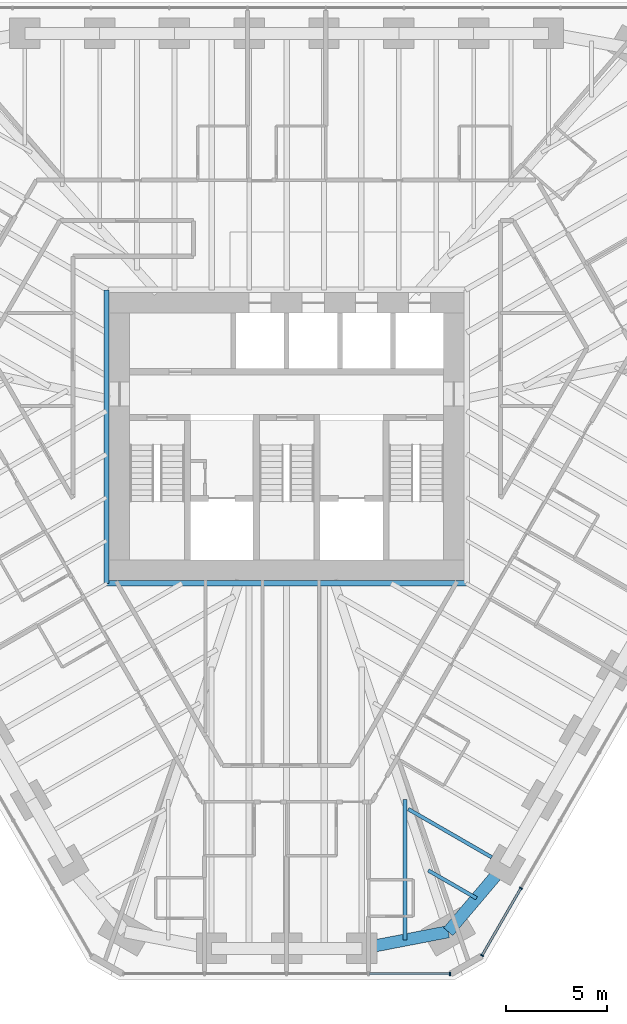
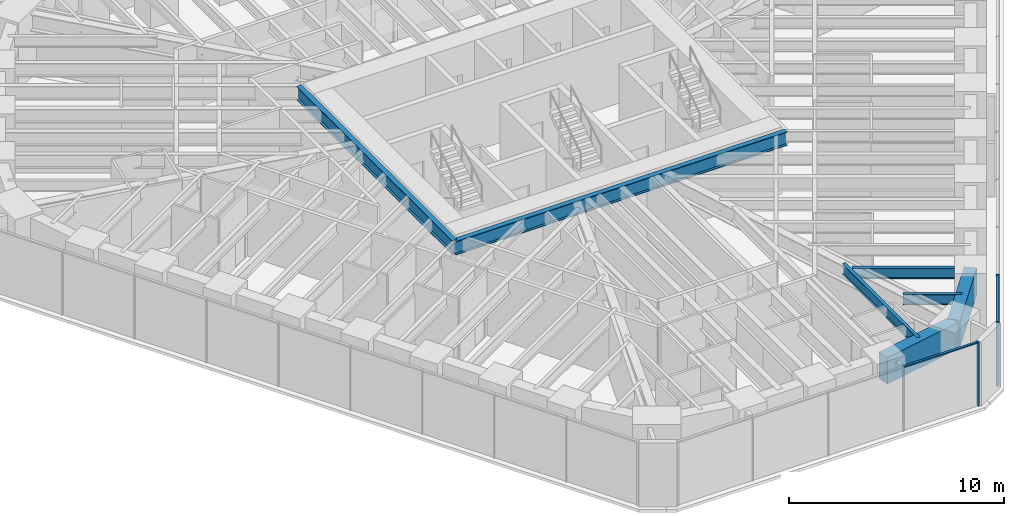
# One storey, part 4 of 16: 7 beams, 5 members, 2 elements without a shape of their own.
"""IFC4 building model written with IfcOpenShell, lengths in metres."""

import ifcopenshell
import ifcopenshell.guid

model = None  # the IFC model being written
_history = None  # IfcOwnerHistory: only IFC2X3 demands one
_inside = {}  # id of a spatial element -> (the spatial element, [elements in it])
_under = {}  # id of a project, library or spatial element -> (it, [spatial elements below it])
_declared = {}  # id of a project -> (the project, [libraries it declares])
_typed = {}  # id of a type object -> (the type object, [elements of that type])
_made_of = {}  # id of a material, layer set ... -> (it, [elements and type objects made of it])


def new_model(schema):
    """Start an empty IFC model of exactly this schema.

    Asked for "IFC4X3", IfcOpenShell would pick the latest addendum, in which some entities
    have other attributes; the version numbers below select the first issue.
    IFC2X3 requires an IfcOwnerHistory on every rooted entity: one is made here for all.
    """
    global model, _history
    if schema == "IFC4X3":
        model = ifcopenshell.file(schema_version=(4, 3, 0, 0))
    else:
        model = ifcopenshell.file(schema=schema)
    _inside.clear()
    _under.clear()
    _declared.clear()
    _typed.clear()
    _made_of.clear()
    _history = None
    if model.schema == "IFC2X3":
        org = make("IfcOrganization", Name="unknown")
        user = make(
            "IfcPersonAndOrganization",
            ThePerson=make("IfcPerson", FamilyName="unknown"),
            TheOrganization=org,
        )
        app = make(
            "IfcApplication",
            ApplicationDeveloper=org,
            Version="unknown",
            ApplicationFullName="unknown",
            ApplicationIdentifier="unknown",
        )
        _history = make(
            "IfcOwnerHistory",
            OwningUser=user,
            OwningApplication=app,
            ChangeAction="ADDED",
            CreationDate=0,
        )
    return model


def make(cls, **values):
    """One entity of the class cls with the attributes given. An attribute that is None is left unset."""
    return model.create_entity(
        cls, **{name: value for name, value in values.items() if value is not None}
    )


def rooted(cls, **values):
    """An entity with a GlobalId (a new one), such as an element, a storey or a relation."""
    return make(cls, GlobalId=ifcopenshell.guid.new(), OwnerHistory=_history, **values)


def si_unit(unit_type, name, prefix=None):
    """IfcSIUnit, for example si_unit("LENGTHUNIT", "METRE", prefix="MILLI")."""
    return make("IfcSIUnit", UnitType=unit_type, Prefix=prefix, Name=name)


def assignment(units):
    """IfcUnitAssignment: the units of a project."""
    return None if units is None else make("IfcUnitAssignment", Units=units)


def point(xyz):
    """IfcCartesianPoint."""
    return None if xyz is None else make("IfcCartesianPoint", Coordinates=xyz)


def direction(xyz):
    """IfcDirection."""
    return None if xyz is None else make("IfcDirection", DirectionRatios=xyz)


def frame(location, z_axis=None, x_axis=None):
    """IfcAxis2Placement3D, a coordinate frame: its origin and axes. An axis left out is left unset."""
    return make(
        "IfcAxis2Placement3D",
        Location=point(location),
        Axis=direction(z_axis),
        RefDirection=direction(x_axis),
    )


def frame_2d(location, x_axis=None):
    """IfcAxis2Placement2D, a coordinate frame in the plane: its origin and x axis."""
    return make(
        "IfcAxis2Placement2D", Location=point(location), RefDirection=direction(x_axis)
    )


def origin():
    """The frame at (0, 0, 0) with its axes left unset."""
    return frame((0.0, 0.0, 0.0))


def origin_2d():
    """The frame at (0, 0) in the plane with its x axis left unset."""
    return frame_2d((0.0, 0.0))


def place(relative_to, where):
    """IfcLocalPlacement: puts the frame where relative to a parent placement (None: the world)."""
    return make(
        "IfcLocalPlacement", PlacementRelTo=relative_to, RelativePlacement=where
    )


def context(
    kind, dimensions, precision=None, world=None, true_north=None, identifier=None
):
    """IfcGeometricRepresentationContext, for example the 3D "Model" context."""
    return make(
        "IfcGeometricRepresentationContext",
        ContextIdentifier=identifier,
        ContextType=kind,
        CoordinateSpaceDimension=dimensions,
        Precision=precision,
        WorldCoordinateSystem=world,
        TrueNorth=true_north,
    )


def subcontext(parent, identifier, kind, view, scale=None):
    """IfcGeometricRepresentationSubContext, for example "Body" below "Model"."""
    return make(
        "IfcGeometricRepresentationSubContext",
        ContextIdentifier=identifier,
        ContextType=kind,
        ParentContext=parent,
        TargetScale=scale,
        TargetView=view,
    )


def project(units=None, contexts=None):
    """IfcProject with its units and contexts."""
    return rooted(
        "IfcProject",
        Name="project",
        RepresentationContexts=contexts,
        UnitsInContext=assignment(units),
    )


def spatial(cls, under=None, at=None, **own):
    """A site, building, storey or space (cls), placed at a placement, below another one or the project."""
    s = rooted(cls, ObjectPlacement=at, **own)
    if under is not None:
        _under.setdefault(under.id(), (under, []))[1].append(s)
    return s


def profile(cls, at=None, kind="AREA", **sizes):
    """A parametric profile (cls). Its sizes go by their IFC names, for example OverallWidth=200.0."""
    return make(cls, ProfileType=kind, Position=at, **sizes)


def rectangle(**sizes):
    """IfcRectangleProfileDef."""
    return profile("IfcRectangleProfileDef", **sizes)


def i_section(**sizes):
    """IfcIShapeProfileDef."""
    return profile("IfcIShapeProfileDef", **sizes)


def extrude(swept, where, along, depth):
    """IfcExtrudedAreaSolid: the profile swept, set in the frame where, extruded along a direction by depth."""
    return make(
        "IfcExtrudedAreaSolid",
        SweptArea=swept,
        Position=where,
        ExtrudedDirection=direction(along),
        Depth=depth,
    )


def shape(context_of_items, identifier, shape_type, items):
    """IfcShapeRepresentation: the items that make up one representation, for example the "Body"."""
    return make(
        "IfcShapeRepresentation",
        ContextOfItems=context_of_items,
        RepresentationIdentifier=identifier,
        RepresentationType=shape_type,
        Items=items,
    )


def material(Name=None, Category=None):
    """IfcMaterial."""
    return make("IfcMaterial", Name=Name, Category=Category)


def material_profile(
    of_material, cross_section, Name=None, Category=None, Priority=None
):
    """IfcMaterialProfile: a cross section and its material."""
    return make(
        "IfcMaterialProfile",
        Name=Name,
        Material=of_material,
        Profile=cross_section,
        Priority=Priority,
        Category=Category,
    )


def profile_set(profiles, Name=None, composite=None):
    """IfcMaterialProfileSet."""
    return make(
        "IfcMaterialProfileSet",
        Name=Name,
        MaterialProfiles=profiles,
        CompositeProfile=composite,
    )


def made_of(thing, what):
    """Note that an element or type object is made of a material, layer set ...; save() writes the relation."""
    if what is not None:
        _made_of.setdefault(what.id(), (what, []))[1].append(thing)
    return thing


def type_object(cls, material=None, **own):
    """A type object (cls), such as IfcWallType, which elements share."""
    return made_of(rooted(cls, **own), material)


def element(
    cls,
    number,
    at=None,
    inside=None,
    cuts=None,
    type_object=None,
    material=None,
    context=None,
    identifier="Body",
    shape_type=None,
    held_by="IfcProductDefinitionShape",
    body=None,
    shapes=None,
    **own,
):
    """One element of the class cls, such as IfcWall. Its Tag is "e" and its number.

    at: its placement. inside: the storey or other place that contains it. cuts: it is an
    opening in that element (IfcRelVoidsElement). A single representation is given by context,
    identifier, shape_type and body (its items); several are given by shapes. held_by: the class
    of the entity that holds the representations. save() writes the other relations.
    """
    e = rooted(cls, Tag="e%d" % number, ObjectPlacement=at, **own)
    if body is not None:
        shapes = [shape(context, identifier, shape_type, body)]
    if shapes is not None:
        e.Representation = make(held_by, Representations=shapes)
    if inside is not None:
        _inside.setdefault(inside.id(), (inside, []))[1].append(e)
    if cuts is not None:
        rooted(
            "IfcRelVoidsElement", RelatingBuildingElement=cuts, RelatedOpeningElement=e
        )
    if type_object is not None:
        _typed.setdefault(type_object.id(), (type_object, []))[1].append(e)
    return made_of(e, material)


def aggregate(whole, parts):
    """IfcRelAggregates: a whole, such as a stair, and the parts it consists of."""
    return rooted("IfcRelAggregates", RelatingObject=whole, RelatedObjects=parts)


def save(model, path):
    """Write the relations noted so far, then the file.

    IfcRelAggregates (storeys below a building ...), IfcRelContainedInSpatialStructure (elements
    in a storey), IfcRelDefinesByType, IfcRelAssociatesMaterial and IfcRelDeclares: one each for
    every whole, place, type object, material and project.
    """
    for whole, parts in _under.values():
        aggregate(whole, parts)
    for where, things in _inside.values():
        rooted(
            "IfcRelContainedInSpatialStructure",
            RelatedElements=things,
            RelatingStructure=where,
        )
    for kind, things in _typed.values():
        rooted("IfcRelDefinesByType", RelatedObjects=things, RelatingType=kind)
    for what, things in _made_of.values():
        rooted("IfcRelAssociatesMaterial", RelatedObjects=things, RelatingMaterial=what)
    for by, libraries in _declared.values():
        rooted("IfcRelDeclares", RelatingContext=by, RelatedDefinitions=libraries)
    model.write(path)


model = new_model("IFC4")

# Units and contexts
model_context = context("Model", 3, precision=1e-05, world=origin(), true_north=direction((0.0, 1.0)))
body_context = subcontext(model_context, "Body", "Model", "MODEL_VIEW")
ifc_project = project(units=[si_unit("LENGTHUNIT", "METRE"), si_unit("AREAUNIT", "SQUARE_METRE"), si_unit("VOLUMEUNIT", "CUBIC_METRE"), si_unit("PLANEANGLEUNIT", "RADIAN"), si_unit("MASSUNIT", "GRAM", prefix="KILO")], contexts=[model_context])

# Site, building, storey
site_placement = place(None, origin())
site = spatial("IfcSite", under=ifc_project, at=site_placement, CompositionType="ELEMENT")
building_placement = place(site_placement, origin())
building = spatial("IfcBuilding", under=site, at=building_placement, Name="Sandreach Pilgrim Tower", CompositionType="ELEMENT")
storey_placement = place(building_placement, frame((0.0, 0.0, 187.0)))
storey = spatial("IfcBuildingStorey", under=building, at=storey_placement, Name="L46", CompositionType="ELEMENT", Elevation=187.0)

# Curtain wall, members
ifc_material_1 = material(Name="Aluminium framed curtain wall", Category="aluminium")
curtain_wall_type = type_object("IfcCurtainWallType", Name="Upper hotel tower curtain wall", PredefinedType="NOTDEFINED", material=ifc_material_1)
curtain_wall_1_placement = place(storey_placement, origin())
curtain_wall_1 = element("IfcCurtainWall", 1, at=curtain_wall_1_placement, inside=storey, type_object=curtain_wall_type, Name="CW-3 L46 SE", PredefinedType="NOTDEFINED")
ifc_material_2 = material(Name="Aluminium extrusion", Category="aluminium")
ifc_material_profile_1 = material_profile(ifc_material_2, rectangle(XDim=0.06494140625, YDim=0.159912109375, at=origin_2d()), Name="CW-3M 65X160")
ifc_profile_set_1 = profile_set([ifc_material_profile_1], Name="Aluminium extrusion")
member_type_1 = type_object("IfcMemberType", Name="CW-3 mullion", PredefinedType="MULLION", material=ifc_profile_set_1)
member_1_placement = place(storey_placement, frame((11.5625, -22.29345703125, 0.0), z_axis=(0.0, 0.0, 1.0), x_axis=(-0.5, -0.866025403784, 0.0)))
member_1 = element("IfcMember", 2, at=member_1_placement, type_object=member_type_1, Name="CW-3 mullion 9", PredefinedType="MULLION", context=body_context, shape_type="SweptSolid", body=[
    extrude(rectangle(XDim=0.06494140625, YDim=0.159912109375, at=origin_2d()), origin(), (0.0, 0.0, 1.0), 3.639892578125),
])
member_2_placement = place(storey_placement, frame((9.646484375, -25.612060546875, 0.0), z_axis=(0.0, 0.0, 1.0), x_axis=(-0.5, -0.866025403784, 0.0)))
member_2 = element("IfcMember", 3, at=member_2_placement, type_object=member_type_1, Name="CW-3 mullion 10", PredefinedType="MULLION", context=body_context, shape_type="SweptSolid", body=[
    extrude(rectangle(XDim=0.06494140625, YDim=0.159912109375, at=origin_2d()), origin(), (0.0, 0.0, 1.0), 3.639892578125),
])

# Curtain wall, member
curtain_wall_2_placement = place(storey_placement, origin())
curtain_wall_2 = element("IfcCurtainWall", 4, at=curtain_wall_2_placement, inside=storey, type_object=curtain_wall_type, Name="CW-3 L46 S", PredefinedType="NOTDEFINED")
member_3_placement = place(storey_placement, frame((8.06494140625, -26.525146484375, 0.0), z_axis=(0.0, 0.0, 1.0), x_axis=(-1.0, 0.0, 0.0)))
member_3 = element("IfcMember", 5, at=member_3_placement, type_object=member_type_1, Name="CW-3 mullion 1", PredefinedType="MULLION", context=body_context, shape_type="SweptSolid", body=[
    extrude(rectangle(XDim=0.06494140625, YDim=0.159912109375, at=origin_2d()), origin(), (0.0, 0.0, 1.0), 3.639892578125),
])

# Member
ifc_material_3 = material(Name="Aluminium extrusion", Category="aluminium")
ifc_material_profile_2 = material_profile(ifc_material_3, rectangle(XDim=0.1201171875, YDim=0.070068359375, at=origin_2d()), Name="CW-3T 120X70")
ifc_profile_set_2 = profile_set([ifc_material_profile_2], Name="Aluminium extrusion")
member_type_2 = type_object("IfcMemberType", Name="CW-3 transom", PredefinedType="USERDEFINED", material=ifc_profile_set_2)
member_4_placement = place(storey_placement, frame((11.546142578125, -22.321533203125, 3.60498046875), z_axis=(-0.499973055223, -0.8660409598, 0.0), x_axis=(0.8660409598, -0.499973055223, 0.0)))
member_4 = element("IfcMember", 6, at=member_4_placement, type_object=member_type_2, Name="CW-3 head transom 9", ObjectType="TRANSOM", PredefinedType="USERDEFINED", context=body_context, shape_type="SweptSolid", body=[
    extrude(rectangle(XDim=0.1201171875, YDim=0.070068359375, at=origin_2d()), origin(), (0.0, 0.0, 1.0), 3.766845703125),
])

aggregate(curtain_wall_1, [member_1, member_2, member_4])

member_5_placement = place(storey_placement, frame((8.032470703125, -26.525146484375, 3.60498046875), z_axis=(-1.0, 0.0, 0.0), x_axis=(0.0, -1.0, 0.0)))
member_5 = element("IfcMember", 7, at=member_5_placement, type_object=member_type_2, Name="CW-3 head transom 1", ObjectType="TRANSOM", PredefinedType="USERDEFINED", context=body_context, shape_type="SweptSolid", body=[
    extrude(rectangle(XDim=0.1201171875, YDim=0.070068359375, at=origin_2d()), origin(), (0.0, 0.0, 1.0), 3.951171875),
])

aggregate(curtain_wall_2, [member_3, member_5])

# Beams
ifc_material_4 = material(Name="Steel ASTM A992 Grade 50", Category="steel")
ifc_material_profile_3 = material_profile(ifc_material_4, i_section(OverallWidth=0.2666015625, OverallDepth=0.77978515625, WebThickness=0.0166015625, FlangeThickness=0.030029296875, at=origin_2d()), Name="W30X148")
ifc_profile_set_3 = profile_set([ifc_material_profile_3], Name="Steel ASTM A992 Grade 50")
beam_type_1 = type_object("IfcBeamType", Name="Core edge beam W30X148", PredefinedType="BEAM", material=ifc_profile_set_3)
beam_1_placement = place(storey_placement, frame((8.893310546875, -7.243408203125, 3.25), z_axis=(-1.0, 0.0, 0.0), x_axis=(0.0, -1.0, 0.0)))
element("IfcBeam", 8, at=beam_1_placement, inside=storey, type_object=beam_type_1, Name="BM L46 CES", PredefinedType="BEAM", context=body_context, shape_type="SweptSolid", body=[
    extrude(i_section(OverallWidth=0.2666015625, OverallDepth=0.77978515625, WebThickness=0.0166015625, FlangeThickness=0.030029296875, at=origin_2d()), origin(), (0.0, 0.0, 1.0), 17.78662109375),
])
beam_2_placement = place(storey_placement, frame((-8.893310546875, -7.243408203125, 3.25), z_axis=(0.0, 1.0, 0.0), x_axis=(-1.0, 0.0, 0.0)))
element("IfcBeam", 9, at=beam_2_placement, inside=storey, type_object=beam_type_1, Name="BM L46 CEW", PredefinedType="BEAM", context=body_context, shape_type="SweptSolid", body=[
    extrude(i_section(OverallWidth=0.2666015625, OverallDepth=0.77978515625, WebThickness=0.0166015625, FlangeThickness=0.030029296875, at=origin_2d()), origin(), (0.0, 0.0, 1.0), 14.48681640625),
])
ifc_material_5 = material(Name="Steel ASTM A992 Grade 50", Category="steel")
ifc_material_profile_4 = material_profile(ifc_material_5, i_section(OverallWidth=0.1787109375, OverallDepth=0.60205078125, WebThickness=0.010986328125, FlangeThickness=0.014892578125, at=origin_2d()), Name="W24X62")
ifc_profile_set_4 = profile_set([ifc_material_profile_4], Name="Steel ASTM A992 Grade 50")
beam_type_2 = type_object("IfcBeamType", Name="Floor beam W24X62", PredefinedType="BEAM", material=ifc_profile_set_4)
beam_3_placement = place(storey_placement, frame((10.12255859375, -20.767333984375, 3.339111328125), z_axis=(-0.86603347311, 0.499986023258, 0.0), x_axis=(-0.499986023258, -0.86603347311, 0.0)))
element("IfcBeam", 10, at=beam_3_placement, inside=storey, type_object=beam_type_2, Name="BM L46 F21", PredefinedType="BEAM", context=body_context, shape_type="SweptSolid", body=[
    extrude(i_section(OverallWidth=0.1787109375, OverallDepth=0.60205078125, WebThickness=0.010986328125, FlangeThickness=0.014892578125, at=origin_2d()), origin(), (0.0, 0.0, 1.0), 4.757568359375),
])
beam_4_placement = place(storey_placement, frame((9.375244140625, -22.7919921875, 3.339111328125), z_axis=(-0.866046803606, 0.49996293259, 0.0), x_axis=(-0.49996293259, -0.866046803606, 0.0)))
element("IfcBeam", 11, at=beam_4_placement, inside=storey, type_object=beam_type_2, Name="BM L46 FM21", PredefinedType="BEAM", context=body_context, shape_type="SweptSolid", body=[
    extrude(i_section(OverallWidth=0.1787109375, OverallDepth=0.60205078125, WebThickness=0.010986328125, FlangeThickness=0.014892578125, at=origin_2d()), origin(), (0.0, 0.0, 1.0), 2.753662109375),
])
beam_5_placement = place(storey_placement, frame((5.844482421875, -24.853515625, 3.339111328125), z_axis=(0.0, 1.0, 0.0), x_axis=(-1.0, 0.0, 0.0)))
element("IfcBeam", 12, at=beam_5_placement, inside=storey, type_object=beam_type_2, Name="BM L46 FM22", PredefinedType="BEAM", context=body_context, shape_type="SweptSolid", body=[
    extrude(i_section(OverallWidth=0.1787109375, OverallDepth=0.60205078125, WebThickness=0.010986328125, FlangeThickness=0.014892578125, at=origin_2d()), origin(), (0.0, 0.0, 1.0), 6.94921875),
])
ifc_material_6 = material(Name="Concrete 10000 psi", Category="concrete")
ifc_material_profile_5 = material_profile(ifc_material_6, rectangle(XDim=0.60009765625, YDim=1.5, at=origin_2d()), Name="RC600X1500")
ifc_profile_set_5 = profile_set([ifc_material_profile_5], Name="Concrete 10000 psi")
beam_type_3 = type_object("IfcBeamType", Name="Spandrel beam RC600X1500", PredefinedType="SPANDREL", material=ifc_profile_set_5)
beam_6_placement = place(storey_placement, frame((10.772216796875, -21.142333984375, 2.889892578125), z_axis=(-0.646180160755, -0.76318490541, 0.0), x_axis=(0.76318490541, -0.646180160755, 0.0)))
element("IfcBeam", 13, at=beam_6_placement, inside=storey, type_object=beam_type_3, Name="BM L46 SP21", PredefinedType="SPANDREL", context=body_context, shape_type="SweptSolid", body=[
    extrude(rectangle(XDim=0.60009765625, YDim=1.5, at=origin_2d()), origin(), (0.0, 0.0, 1.0), 4.323486328125),
])
beam_7_placement = place(storey_placement, frame((7.978515625, -24.44189453125, 2.889892578125), z_axis=(-0.981901333807, -0.18939316426, 0.0), x_axis=(0.18939316426, -0.981901333807, 0.0)))
element("IfcBeam", 14, at=beam_7_placement, inside=storey, type_object=beam_type_3, Name="BM L46 SP22", PredefinedType="SPANDREL", context=body_context, shape_type="SweptSolid", body=[
    extrude(rectangle(XDim=0.60009765625, YDim=1.5, at=origin_2d()), origin(), (0.0, 0.0, 1.0), 4.3466796875),
])

save(model, "model.ifc")
